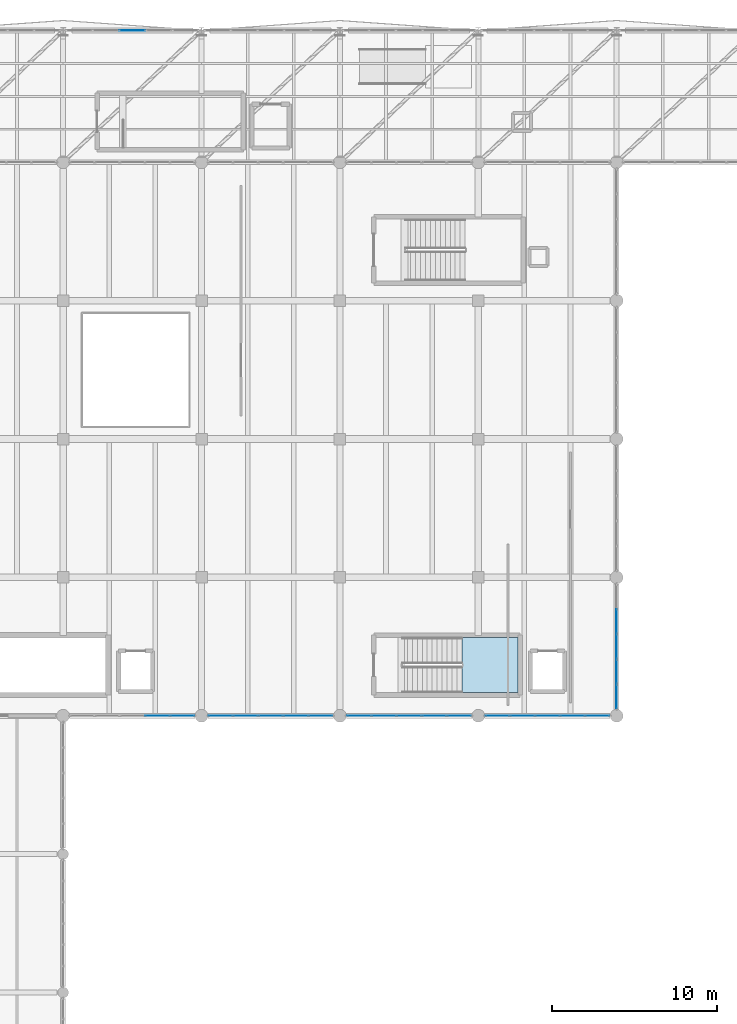
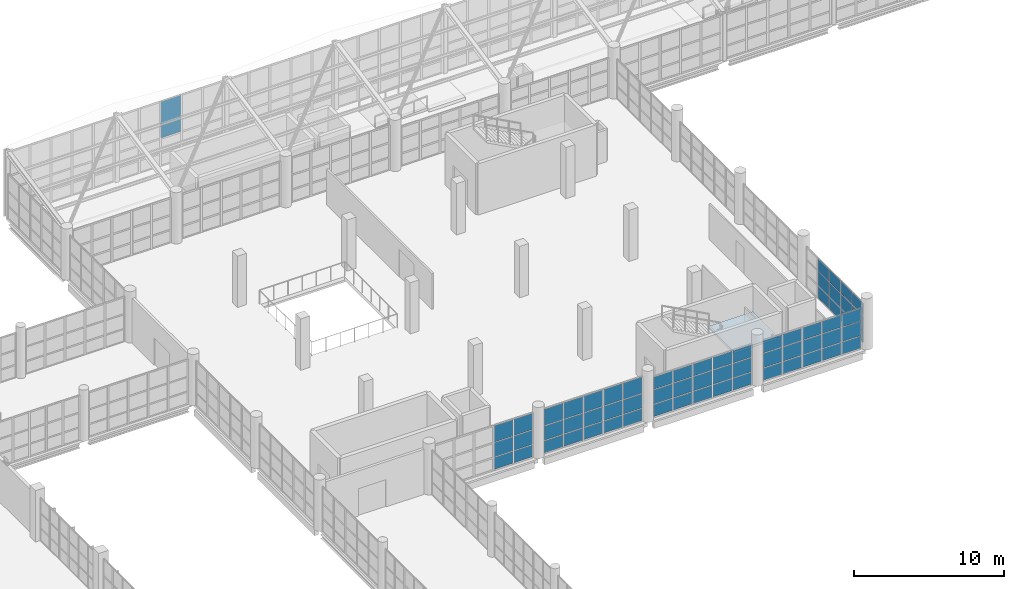
# One storey, part 133 of 177: 65 plates, 1 slab, 7 elements without a shape of their own.
"""IFC4 building model written with IfcOpenShell, lengths in metres."""

import ifcopenshell
import ifcopenshell.guid

model = None  # the IFC model being written
_history = None  # IfcOwnerHistory: only IFC2X3 demands one
_inside = {}  # id of a spatial element -> (the spatial element, [elements in it])
_under = {}  # id of a project, library or spatial element -> (it, [spatial elements below it])
_declared = {}  # id of a project -> (the project, [libraries it declares])
_typed = {}  # id of a type object -> (the type object, [elements of that type])
_made_of = {}  # id of a material, layer set ... -> (it, [elements and type objects made of it])


def new_model(schema):
    """Start an empty IFC model of exactly this schema.

    Asked for "IFC4X3", IfcOpenShell would pick the latest addendum, in which some entities
    have other attributes; the version numbers below select the first issue.
    IFC2X3 requires an IfcOwnerHistory on every rooted entity: one is made here for all.
    """
    global model, _history
    if schema == "IFC4X3":
        model = ifcopenshell.file(schema_version=(4, 3, 0, 0))
    else:
        model = ifcopenshell.file(schema=schema)
    _inside.clear()
    _under.clear()
    _declared.clear()
    _typed.clear()
    _made_of.clear()
    _history = None
    if model.schema == "IFC2X3":
        org = make("IfcOrganization", Name="unknown")
        user = make(
            "IfcPersonAndOrganization",
            ThePerson=make("IfcPerson", FamilyName="unknown"),
            TheOrganization=org,
        )
        app = make(
            "IfcApplication",
            ApplicationDeveloper=org,
            Version="unknown",
            ApplicationFullName="unknown",
            ApplicationIdentifier="unknown",
        )
        _history = make(
            "IfcOwnerHistory",
            OwningUser=user,
            OwningApplication=app,
            ChangeAction="ADDED",
            CreationDate=0,
        )
    return model


def make(cls, **values):
    """One entity of the class cls with the attributes given. An attribute that is None is left unset."""
    return model.create_entity(
        cls, **{name: value for name, value in values.items() if value is not None}
    )


def rooted(cls, **values):
    """An entity with a GlobalId (a new one), such as an element, a storey or a relation."""
    return make(cls, GlobalId=ifcopenshell.guid.new(), OwnerHistory=_history, **values)


def si_unit(unit_type, name, prefix=None):
    """IfcSIUnit, for example si_unit("LENGTHUNIT", "METRE", prefix="MILLI")."""
    return make("IfcSIUnit", UnitType=unit_type, Prefix=prefix, Name=name)


def assignment(units):
    """IfcUnitAssignment: the units of a project."""
    return None if units is None else make("IfcUnitAssignment", Units=units)


def point(xyz):
    """IfcCartesianPoint."""
    return None if xyz is None else make("IfcCartesianPoint", Coordinates=xyz)


def direction(xyz):
    """IfcDirection."""
    return None if xyz is None else make("IfcDirection", DirectionRatios=xyz)


def frame(location, z_axis=None, x_axis=None):
    """IfcAxis2Placement3D, a coordinate frame: its origin and axes. An axis left out is left unset."""
    return make(
        "IfcAxis2Placement3D",
        Location=point(location),
        Axis=direction(z_axis),
        RefDirection=direction(x_axis),
    )


def frame_2d(location, x_axis=None):
    """IfcAxis2Placement2D, a coordinate frame in the plane: its origin and x axis."""
    return make(
        "IfcAxis2Placement2D", Location=point(location), RefDirection=direction(x_axis)
    )


def origin():
    """The frame at (0, 0, 0) with its axes left unset."""
    return frame((0.0, 0.0, 0.0))


def origin_2d():
    """The frame at (0, 0) in the plane with its x axis left unset."""
    return frame_2d((0.0, 0.0))


def place(relative_to, where):
    """IfcLocalPlacement: puts the frame where relative to a parent placement (None: the world)."""
    return make(
        "IfcLocalPlacement", PlacementRelTo=relative_to, RelativePlacement=where
    )


def context(
    kind, dimensions, precision=None, world=None, true_north=None, identifier=None
):
    """IfcGeometricRepresentationContext, for example the 3D "Model" context."""
    return make(
        "IfcGeometricRepresentationContext",
        ContextIdentifier=identifier,
        ContextType=kind,
        CoordinateSpaceDimension=dimensions,
        Precision=precision,
        WorldCoordinateSystem=world,
        TrueNorth=true_north,
    )


def subcontext(parent, identifier, kind, view, scale=None):
    """IfcGeometricRepresentationSubContext, for example "Body" below "Model"."""
    return make(
        "IfcGeometricRepresentationSubContext",
        ContextIdentifier=identifier,
        ContextType=kind,
        ParentContext=parent,
        TargetScale=scale,
        TargetView=view,
    )


def project(units=None, contexts=None):
    """IfcProject with its units and contexts."""
    return rooted(
        "IfcProject",
        Name="project",
        RepresentationContexts=contexts,
        UnitsInContext=assignment(units),
    )


def spatial(cls, under=None, at=None, **own):
    """A site, building, storey or space (cls), placed at a placement, below another one or the project."""
    s = rooted(cls, ObjectPlacement=at, **own)
    if under is not None:
        _under.setdefault(under.id(), (under, []))[1].append(s)
    return s


def polyline(points):
    """IfcPolyline through the points."""
    return make("IfcPolyline", Points=[point(p) for p in points])


def profile(cls, at=None, kind="AREA", **sizes):
    """A parametric profile (cls). Its sizes go by their IFC names, for example OverallWidth=200.0."""
    return make(cls, ProfileType=kind, Position=at, **sizes)


def rectangle(**sizes):
    """IfcRectangleProfileDef."""
    return profile("IfcRectangleProfileDef", **sizes)


def outline(outer, holes=None, kind="AREA"):
    """IfcArbitraryClosedProfileDef: a profile drawn as a closed curve; with holes, ...WithVoids."""
    if holes is None:
        return make("IfcArbitraryClosedProfileDef", ProfileType=kind, OuterCurve=outer)
    return make(
        "IfcArbitraryProfileDefWithVoids",
        ProfileType=kind,
        OuterCurve=outer,
        InnerCurves=holes,
    )


def extrude(swept, where, along, depth):
    """IfcExtrudedAreaSolid: the profile swept, set in the frame where, extruded along a direction by depth."""
    return make(
        "IfcExtrudedAreaSolid",
        SweptArea=swept,
        Position=where,
        ExtrudedDirection=direction(along),
        Depth=depth,
    )


def shape(context_of_items, identifier, shape_type, items):
    """IfcShapeRepresentation: the items that make up one representation, for example the "Body"."""
    return make(
        "IfcShapeRepresentation",
        ContextOfItems=context_of_items,
        RepresentationIdentifier=identifier,
        RepresentationType=shape_type,
        Items=items,
    )


def material(Name=None, Category=None):
    """IfcMaterial."""
    return make("IfcMaterial", Name=Name, Category=Category)


def layer(
    of_material, thickness, ventilated=None, Name=None, Category=None, Priority=None
):
    """IfcMaterialLayer: one layer of a wall or slab, of a material (None: an air gap)."""
    return make(
        "IfcMaterialLayer",
        Material=of_material,
        LayerThickness=thickness,
        IsVentilated=ventilated,
        Name=Name,
        Category=Category,
        Priority=Priority,
    )


def layer_set(layers, Name=None):
    """IfcMaterialLayerSet."""
    return make("IfcMaterialLayerSet", MaterialLayers=layers, LayerSetName=Name)


def made_of(thing, what):
    """Note that an element or type object is made of a material, layer set ...; save() writes the relation."""
    if what is not None:
        _made_of.setdefault(what.id(), (what, []))[1].append(thing)
    return thing


def type_object(cls, material=None, **own):
    """A type object (cls), such as IfcWallType, which elements share."""
    return made_of(rooted(cls, **own), material)


def element(
    cls,
    number,
    at=None,
    inside=None,
    cuts=None,
    type_object=None,
    material=None,
    context=None,
    identifier="Body",
    shape_type=None,
    held_by="IfcProductDefinitionShape",
    body=None,
    shapes=None,
    **own,
):
    """One element of the class cls, such as IfcWall. Its Tag is "e" and its number.

    at: its placement. inside: the storey or other place that contains it. cuts: it is an
    opening in that element (IfcRelVoidsElement). A single representation is given by context,
    identifier, shape_type and body (its items); several are given by shapes. held_by: the class
    of the entity that holds the representations. save() writes the other relations.
    """
    e = rooted(cls, Tag="e%d" % number, ObjectPlacement=at, **own)
    if body is not None:
        shapes = [shape(context, identifier, shape_type, body)]
    if shapes is not None:
        e.Representation = make(held_by, Representations=shapes)
    if inside is not None:
        _inside.setdefault(inside.id(), (inside, []))[1].append(e)
    if cuts is not None:
        rooted(
            "IfcRelVoidsElement", RelatingBuildingElement=cuts, RelatedOpeningElement=e
        )
    if type_object is not None:
        _typed.setdefault(type_object.id(), (type_object, []))[1].append(e)
    return made_of(e, material)


def aggregate(whole, parts):
    """IfcRelAggregates: a whole, such as a stair, and the parts it consists of."""
    return rooted("IfcRelAggregates", RelatingObject=whole, RelatedObjects=parts)


def save(model, path):
    """Write the relations noted so far, then the file.

    IfcRelAggregates (storeys below a building ...), IfcRelContainedInSpatialStructure (elements
    in a storey), IfcRelDefinesByType, IfcRelAssociatesMaterial and IfcRelDeclares: one each for
    every whole, place, type object, material and project.
    """
    for whole, parts in _under.values():
        aggregate(whole, parts)
    for where, things in _inside.values():
        rooted(
            "IfcRelContainedInSpatialStructure",
            RelatedElements=things,
            RelatingStructure=where,
        )
    for kind, things in _typed.values():
        rooted("IfcRelDefinesByType", RelatedObjects=things, RelatingType=kind)
    for what, things in _made_of.values():
        rooted("IfcRelAssociatesMaterial", RelatedObjects=things, RelatingMaterial=what)
    for by, libraries in _declared.values():
        rooted("IfcRelDeclares", RelatingContext=by, RelatedDefinitions=libraries)
    model.write(path)


model = new_model("IFC4")

# Units and contexts
model_context = context("Model", 3, precision=1e-05, world=origin(), true_north=direction((0.0, 1.0)))
body_context = subcontext(model_context, "Body", "Model", "MODEL_VIEW")
ifc_project = project(units=[si_unit("LENGTHUNIT", "METRE"), si_unit("AREAUNIT", "SQUARE_METRE"), si_unit("VOLUMEUNIT", "CUBIC_METRE"), si_unit("PLANEANGLEUNIT", "RADIAN"), si_unit("MASSUNIT", "GRAM", prefix="KILO"), si_unit("THERMODYNAMICTEMPERATUREUNIT", "KELVIN"), si_unit("POWERUNIT", "WATT")], contexts=[model_context])

# Site, building, storey
site_placement = place(None, origin())
site = spatial("IfcSite", under=ifc_project, at=site_placement, CompositionType="ELEMENT")
building_placement = place(site_placement, origin())
building = spatial("IfcBuilding", under=site, at=building_placement, Name="Mavoryth Pier Ferry Terminal", CompositionType="ELEMENT")
storey_placement = place(building_placement, frame((0.0, 0.0, 5.43994140625)))
storey = spatial("IfcBuildingStorey", under=building, at=storey_placement, Name="L01", CompositionType="ELEMENT", Elevation=5.43994140625)

# Curtain wall, plates
ifc_material_1 = material(Name="Anodised Aluminium and Solar-Control Low-E Glass", Category="aluminium")
ifc_layer_1 = layer(ifc_material_1, 0.159912109375, Name="Anodised Aluminium and Solar-Control Low-E Glass", Category="aluminium")
ifc_layer_set_1 = layer_set([ifc_layer_1], Name="Anodised Aluminium and Solar-Control Low-E Glass - CW-Arrivals-Mod1400")
curtain_wall_type_1 = type_object("IfcCurtainWallType", Name="CW-Arrivals-Mod1400", PredefinedType="USERDEFINED", material=ifc_layer_set_1)
curtain_wall_1_placement = place(storey_placement, origin())
curtain_wall_1 = element("IfcCurtainWall", 1, at=curtain_wall_1_placement, inside=storey, type_object=curtain_wall_type_1, Name="Curtain Wall CW-0122-053", ObjectType="UNITISED CURTAIN WALL", PredefinedType="USERDEFINED")
ifc_material_2 = material(Name="Solar-Control Low-E Laminated Double Glazing", Category="glass")
ifc_layer_2 = layer(ifc_material_2, 0.02392578125, Name="Solar-Control Low-E Laminated Double Glazing", Category="glass")
ifc_layer_set_2 = layer_set([ifc_layer_2], Name="Solar-Control Low-E Laminated Double Glazing - Panel-LowE-DGU-24")
plate_type = type_object("IfcPlateType", Name="Panel-LowE-DGU-24", PredefinedType="CURTAIN_PANEL", material=ifc_layer_set_2)
plate_1_placement = place(storey_placement, frame((64.52392578125, 72.39990234375, 0.06005859375), z_axis=(0.0, 0.0, 1.0), x_axis=(1.0, 0.0, 0.0)))
plate_1 = element("IfcPlate", 2, at=plate_1_placement, type_object=plate_type, Name="CW04 panel 4.1", PredefinedType="CURTAIN_PANEL", context=body_context, shape_type="SweptSolid", body=[
    extrude(rectangle(XDim=1.464111328125, YDim=0.02392578125, at=origin_2d()), origin(), (0.0, 0.0, 1.0), 0.9599609375),
])
plate_2_placement = place(storey_placement, frame((64.52392578125, 72.39990234375, 1.080078125), z_axis=(0.0, 0.0, 1.0), x_axis=(1.0, 0.0, 0.0)))
plate_2 = element("IfcPlate", 3, at=plate_2_placement, type_object=plate_type, Name="CW04 panel 4.2", PredefinedType="CURTAIN_PANEL", context=body_context, shape_type="SweptSolid", body=[
    extrude(rectangle(XDim=1.464111328125, YDim=0.02392578125, at=origin_2d()), origin(), (0.0, 0.0, 1.0), 1.139892578125),
])
plate_3_placement = place(storey_placement, frame((64.52392578125, 72.39990234375, 2.27978515625), z_axis=(0.0, 0.0, 1.0), x_axis=(1.0, 0.0, 0.0)))
plate_3 = element("IfcPlate", 4, at=plate_3_placement, type_object=plate_type, Name="CW04 panel 4.3", PredefinedType="CURTAIN_PANEL", context=body_context, shape_type="SweptSolid", body=[
    extrude(rectangle(XDim=1.464111328125, YDim=0.02392578125, at=origin_2d()), origin(), (0.0, 0.0, 1.0), 1.320068359375),
])
plate_4_placement = place(storey_placement, frame((66.032958984375, 72.39990234375, 0.06005859375), z_axis=(0.0, 0.0, 1.0), x_axis=(1.0, 0.0, 0.0)))
plate_4 = element("IfcPlate", 5, at=plate_4_placement, type_object=plate_type, Name="CW04 panel 5.1", PredefinedType="CURTAIN_PANEL", context=body_context, shape_type="SweptSolid", body=[
    extrude(rectangle(XDim=1.43408203125, YDim=0.02392578125, at=origin_2d()), origin(), (0.0, 0.0, 1.0), 0.9599609375),
])
plate_5_placement = place(storey_placement, frame((66.032958984375, 72.39990234375, 1.080078125), z_axis=(0.0, 0.0, 1.0), x_axis=(1.0, 0.0, 0.0)))
plate_5 = element("IfcPlate", 6, at=plate_5_placement, type_object=plate_type, Name="CW04 panel 5.2", PredefinedType="CURTAIN_PANEL", context=body_context, shape_type="SweptSolid", body=[
    extrude(rectangle(XDim=1.43408203125, YDim=0.02392578125, at=origin_2d()), origin(), (0.0, 0.0, 1.0), 1.139892578125),
])
plate_6_placement = place(storey_placement, frame((66.032958984375, 72.39990234375, 2.27978515625), z_axis=(0.0, 0.0, 1.0), x_axis=(1.0, 0.0, 0.0)))
plate_6 = element("IfcPlate", 7, at=plate_6_placement, type_object=plate_type, Name="CW04 panel 5.3", PredefinedType="CURTAIN_PANEL", context=body_context, shape_type="SweptSolid", body=[
    extrude(rectangle(XDim=1.43408203125, YDim=0.02392578125, at=origin_2d()), origin(), (0.0, 0.0, 1.0), 1.320068359375),
])
aggregate(curtain_wall_1, [plate_1, plate_2, plate_3, plate_4, plate_5, plate_6])

curtain_wall_2_placement = place(storey_placement, origin())
curtain_wall_2 = element("IfcCurtainWall", 8, at=curtain_wall_2_placement, inside=storey, type_object=curtain_wall_type_1, Name="Curtain Wall CW-0122-056", ObjectType="UNITISED CURTAIN WALL", PredefinedType="USERDEFINED")
plate_7_placement = place(storey_placement, frame((68.366943359375, 72.39990234375, 0.06005859375), z_axis=(0.0, 0.0, 1.0), x_axis=(1.0, 0.0, 0.0)))
plate_7 = element("IfcPlate", 9, at=plate_7_placement, type_object=plate_type, Name="CW04 panel 1.1", PredefinedType="CURTAIN_PANEL", context=body_context, shape_type="SweptSolid", body=[
    extrude(rectangle(XDim=1.43408203125, YDim=0.02392578125, at=origin_2d()), origin(), (0.0, 0.0, 1.0), 0.9599609375),
])
plate_8_placement = place(storey_placement, frame((68.366943359375, 72.39990234375, 1.080078125), z_axis=(0.0, 0.0, 1.0), x_axis=(1.0, 0.0, 0.0)))
plate_8 = element("IfcPlate", 10, at=plate_8_placement, type_object=plate_type, Name="CW04 panel 1.2", PredefinedType="CURTAIN_PANEL", context=body_context, shape_type="SweptSolid", body=[
    extrude(rectangle(XDim=1.43408203125, YDim=0.02392578125, at=origin_2d()), origin(), (0.0, 0.0, 1.0), 1.139892578125),
])
plate_9_placement = place(storey_placement, frame((68.366943359375, 72.39990234375, 2.27978515625), z_axis=(0.0, 0.0, 1.0), x_axis=(1.0, 0.0, 0.0)))
plate_9 = element("IfcPlate", 11, at=plate_9_placement, type_object=plate_type, Name="CW04 panel 1.3", PredefinedType="CURTAIN_PANEL", context=body_context, shape_type="SweptSolid", body=[
    extrude(rectangle(XDim=1.43408203125, YDim=0.02392578125, at=origin_2d()), origin(), (0.0, 0.0, 1.0), 1.320068359375),
])
plate_10_placement = place(storey_placement, frame((69.8759765625, 72.39990234375, 0.06005859375), z_axis=(0.0, 0.0, 1.0), x_axis=(1.0, 0.0, 0.0)))
plate_10 = element("IfcPlate", 12, at=plate_10_placement, type_object=plate_type, Name="CW04 panel 2.1", PredefinedType="CURTAIN_PANEL", context=body_context, shape_type="SweptSolid", body=[
    extrude(rectangle(XDim=1.464111328125, YDim=0.02392578125, at=origin_2d()), origin(), (0.0, 0.0, 1.0), 0.9599609375),
])
plate_11_placement = place(storey_placement, frame((69.8759765625, 72.39990234375, 1.080078125), z_axis=(0.0, 0.0, 1.0), x_axis=(1.0, 0.0, 0.0)))
plate_11 = element("IfcPlate", 13, at=plate_11_placement, type_object=plate_type, Name="CW04 panel 2.2", PredefinedType="CURTAIN_PANEL", context=body_context, shape_type="SweptSolid", body=[
    extrude(rectangle(XDim=1.464111328125, YDim=0.02392578125, at=origin_2d()), origin(), (0.0, 0.0, 1.0), 1.139892578125),
])
plate_12_placement = place(storey_placement, frame((69.8759765625, 72.39990234375, 2.27978515625), z_axis=(0.0, 0.0, 1.0), x_axis=(1.0, 0.0, 0.0)))
plate_12 = element("IfcPlate", 14, at=plate_12_placement, type_object=plate_type, Name="CW04 panel 2.3", PredefinedType="CURTAIN_PANEL", context=body_context, shape_type="SweptSolid", body=[
    extrude(rectangle(XDim=1.464111328125, YDim=0.02392578125, at=origin_2d()), origin(), (0.0, 0.0, 1.0), 1.320068359375),
])
plate_13_placement = place(storey_placement, frame((71.39990234375, 72.39990234375, 0.06005859375), z_axis=(0.0, 0.0, 1.0), x_axis=(1.0, 0.0, 0.0)))
plate_13 = element("IfcPlate", 15, at=plate_13_placement, type_object=plate_type, Name="CW04 panel 3.1", PredefinedType="CURTAIN_PANEL", context=body_context, shape_type="SweptSolid", body=[
    extrude(rectangle(XDim=1.464111328125, YDim=0.02392578125, at=origin_2d()), origin(), (0.0, 0.0, 1.0), 0.9599609375),
])
plate_14_placement = place(storey_placement, frame((71.39990234375, 72.39990234375, 1.080078125), z_axis=(0.0, 0.0, 1.0), x_axis=(1.0, 0.0, 0.0)))
plate_14 = element("IfcPlate", 16, at=plate_14_placement, type_object=plate_type, Name="CW04 panel 3.2", PredefinedType="CURTAIN_PANEL", context=body_context, shape_type="SweptSolid", body=[
    extrude(rectangle(XDim=1.464111328125, YDim=0.02392578125, at=origin_2d()), origin(), (0.0, 0.0, 1.0), 1.139892578125),
])
plate_15_placement = place(storey_placement, frame((71.39990234375, 72.39990234375, 2.27978515625), z_axis=(0.0, 0.0, 1.0), x_axis=(1.0, 0.0, 0.0)))
plate_15 = element("IfcPlate", 17, at=plate_15_placement, type_object=plate_type, Name="CW04 panel 3.3", PredefinedType="CURTAIN_PANEL", context=body_context, shape_type="SweptSolid", body=[
    extrude(rectangle(XDim=1.464111328125, YDim=0.02392578125, at=origin_2d()), origin(), (0.0, 0.0, 1.0), 1.320068359375),
])
plate_16_placement = place(storey_placement, frame((72.924072265625, 72.39990234375, 0.06005859375), z_axis=(0.0, 0.0, 1.0), x_axis=(1.0, 0.0, 0.0)))
plate_16 = element("IfcPlate", 18, at=plate_16_placement, type_object=plate_type, Name="CW04 panel 4.1", PredefinedType="CURTAIN_PANEL", context=body_context, shape_type="SweptSolid", body=[
    extrude(rectangle(XDim=1.464111328125, YDim=0.02392578125, at=origin_2d()), origin(), (0.0, 0.0, 1.0), 0.9599609375),
])
plate_17_placement = place(storey_placement, frame((72.924072265625, 72.39990234375, 1.080078125), z_axis=(0.0, 0.0, 1.0), x_axis=(1.0, 0.0, 0.0)))
plate_17 = element("IfcPlate", 19, at=plate_17_placement, type_object=plate_type, Name="CW04 panel 4.2", PredefinedType="CURTAIN_PANEL", context=body_context, shape_type="SweptSolid", body=[
    extrude(rectangle(XDim=1.464111328125, YDim=0.02392578125, at=origin_2d()), origin(), (0.0, 0.0, 1.0), 1.139892578125),
])
plate_18_placement = place(storey_placement, frame((72.924072265625, 72.39990234375, 2.27978515625), z_axis=(0.0, 0.0, 1.0), x_axis=(1.0, 0.0, 0.0)))
plate_18 = element("IfcPlate", 20, at=plate_18_placement, type_object=plate_type, Name="CW04 panel 4.3", PredefinedType="CURTAIN_PANEL", context=body_context, shape_type="SweptSolid", body=[
    extrude(rectangle(XDim=1.464111328125, YDim=0.02392578125, at=origin_2d()), origin(), (0.0, 0.0, 1.0), 1.320068359375),
])
plate_19_placement = place(storey_placement, frame((74.43310546875, 72.39990234375, 0.06005859375), z_axis=(0.0, 0.0, 1.0), x_axis=(1.0, 0.0, 0.0)))
plate_19 = element("IfcPlate", 21, at=plate_19_placement, type_object=plate_type, Name="CW04 panel 5.1", PredefinedType="CURTAIN_PANEL", context=body_context, shape_type="SweptSolid", body=[
    extrude(rectangle(XDim=1.43408203125, YDim=0.02392578125, at=origin_2d()), origin(), (0.0, 0.0, 1.0), 0.9599609375),
])
plate_20_placement = place(storey_placement, frame((74.43310546875, 72.39990234375, 1.080078125), z_axis=(0.0, 0.0, 1.0), x_axis=(1.0, 0.0, 0.0)))
plate_20 = element("IfcPlate", 22, at=plate_20_placement, type_object=plate_type, Name="CW04 panel 5.2", PredefinedType="CURTAIN_PANEL", context=body_context, shape_type="SweptSolid", body=[
    extrude(rectangle(XDim=1.43408203125, YDim=0.02392578125, at=origin_2d()), origin(), (0.0, 0.0, 1.0), 1.139892578125),
])
plate_21_placement = place(storey_placement, frame((74.43310546875, 72.39990234375, 2.27978515625), z_axis=(0.0, 0.0, 1.0), x_axis=(1.0, 0.0, 0.0)))
plate_21 = element("IfcPlate", 23, at=plate_21_placement, type_object=plate_type, Name="CW04 panel 5.3", PredefinedType="CURTAIN_PANEL", context=body_context, shape_type="SweptSolid", body=[
    extrude(rectangle(XDim=1.43408203125, YDim=0.02392578125, at=origin_2d()), origin(), (0.0, 0.0, 1.0), 1.320068359375),
])
aggregate(curtain_wall_2, [plate_7, plate_8, plate_9, plate_10, plate_11, plate_12, plate_13, plate_14, plate_15, plate_16, plate_17, plate_18, plate_19, plate_20, plate_21])

curtain_wall_3_placement = place(storey_placement, origin())
curtain_wall_3 = element("IfcCurtainWall", 24, at=curtain_wall_3_placement, inside=storey, type_object=curtain_wall_type_1, Name="Curtain Wall CW-0122-059", ObjectType="UNITISED CURTAIN WALL", PredefinedType="USERDEFINED")
plate_22_placement = place(storey_placement, frame((76.76708984375, 72.39990234375, 0.06005859375), z_axis=(0.0, 0.0, 1.0), x_axis=(1.0, 0.0, 0.0)))
plate_22 = element("IfcPlate", 25, at=plate_22_placement, type_object=plate_type, Name="CW04 panel 1.1", PredefinedType="CURTAIN_PANEL", context=body_context, shape_type="SweptSolid", body=[
    extrude(rectangle(XDim=1.43408203125, YDim=0.02392578125, at=origin_2d()), origin(), (0.0, 0.0, 1.0), 0.9599609375),
])
plate_23_placement = place(storey_placement, frame((76.76708984375, 72.39990234375, 1.080078125), z_axis=(0.0, 0.0, 1.0), x_axis=(1.0, 0.0, 0.0)))
plate_23 = element("IfcPlate", 26, at=plate_23_placement, type_object=plate_type, Name="CW04 panel 1.2", PredefinedType="CURTAIN_PANEL", context=body_context, shape_type="SweptSolid", body=[
    extrude(rectangle(XDim=1.43408203125, YDim=0.02392578125, at=origin_2d()), origin(), (0.0, 0.0, 1.0), 1.139892578125),
])
plate_24_placement = place(storey_placement, frame((76.76708984375, 72.39990234375, 2.27978515625), z_axis=(0.0, 0.0, 1.0), x_axis=(1.0, 0.0, 0.0)))
plate_24 = element("IfcPlate", 27, at=plate_24_placement, type_object=plate_type, Name="CW04 panel 1.3", PredefinedType="CURTAIN_PANEL", context=body_context, shape_type="SweptSolid", body=[
    extrude(rectangle(XDim=1.43408203125, YDim=0.02392578125, at=origin_2d()), origin(), (0.0, 0.0, 1.0), 0.985107421875),
])
plate_25_placement = place(storey_placement, frame((78.27587890625, 72.39990234375, 0.06005859375), z_axis=(0.0, 0.0, 1.0), x_axis=(1.0, 0.0, 0.0)))
plate_25 = element("IfcPlate", 28, at=plate_25_placement, type_object=plate_type, Name="CW04 panel 2.1", PredefinedType="CURTAIN_PANEL", context=body_context, shape_type="SweptSolid", body=[
    extrude(rectangle(XDim=1.464111328125, YDim=0.02392578125, at=origin_2d()), origin(), (0.0, 0.0, 1.0), 0.9599609375),
])
plate_26_placement = place(storey_placement, frame((78.27587890625, 72.39990234375, 1.080078125), z_axis=(0.0, 0.0, 1.0), x_axis=(1.0, 0.0, 0.0)))
plate_26 = element("IfcPlate", 29, at=plate_26_placement, type_object=plate_type, Name="CW04 panel 2.2", PredefinedType="CURTAIN_PANEL", context=body_context, shape_type="SweptSolid", body=[
    extrude(rectangle(XDim=1.464111328125, YDim=0.02392578125, at=origin_2d()), origin(), (0.0, 0.0, 1.0), 1.139892578125),
])
plate_27_placement = place(storey_placement, frame((78.27587890625, 72.39990234375, 2.27978515625), z_axis=(0.0, 0.0, 1.0), x_axis=(1.0, 0.0, 0.0)))
plate_27 = element("IfcPlate", 30, at=plate_27_placement, type_object=plate_type, Name="CW04 panel 2.3", PredefinedType="CURTAIN_PANEL", context=body_context, shape_type="SweptSolid", body=[
    extrude(rectangle(XDim=1.464111328125, YDim=0.02392578125, at=origin_2d()), origin(), (0.0, 0.0, 1.0), 0.985107421875),
])
plate_28_placement = place(storey_placement, frame((79.800048828125, 72.39990234375, 0.06005859375), z_axis=(0.0, 0.0, 1.0), x_axis=(1.0, 0.0, 0.0)))
plate_28 = element("IfcPlate", 31, at=plate_28_placement, type_object=plate_type, Name="CW04 panel 3.1", PredefinedType="CURTAIN_PANEL", context=body_context, shape_type="SweptSolid", body=[
    extrude(rectangle(XDim=1.464111328125, YDim=0.02392578125, at=origin_2d()), origin(), (0.0, 0.0, 1.0), 0.9599609375),
])
plate_29_placement = place(storey_placement, frame((79.800048828125, 72.39990234375, 1.080078125), z_axis=(0.0, 0.0, 1.0), x_axis=(1.0, 0.0, 0.0)))
plate_29 = element("IfcPlate", 32, at=plate_29_placement, type_object=plate_type, Name="CW04 panel 3.2", PredefinedType="CURTAIN_PANEL", context=body_context, shape_type="SweptSolid", body=[
    extrude(rectangle(XDim=1.464111328125, YDim=0.02392578125, at=origin_2d()), origin(), (0.0, 0.0, 1.0), 1.139892578125),
])
plate_30_placement = place(storey_placement, frame((79.800048828125, 72.39990234375, 2.27978515625), z_axis=(0.0, 0.0, 1.0), x_axis=(1.0, 0.0, 0.0)))
plate_30 = element("IfcPlate", 33, at=plate_30_placement, type_object=plate_type, Name="CW04 panel 3.3", PredefinedType="CURTAIN_PANEL", context=body_context, shape_type="SweptSolid", body=[
    extrude(rectangle(XDim=1.464111328125, YDim=0.02392578125, at=origin_2d()), origin(), (0.0, 0.0, 1.0), 0.985107421875),
])
plate_31_placement = place(storey_placement, frame((81.323974609375, 72.39990234375, 0.06005859375), z_axis=(0.0, 0.0, 1.0), x_axis=(1.0, 0.0, 0.0)))
plate_31 = element("IfcPlate", 34, at=plate_31_placement, type_object=plate_type, Name="CW04 panel 4.1", PredefinedType="CURTAIN_PANEL", context=body_context, shape_type="SweptSolid", body=[
    extrude(rectangle(XDim=1.464111328125, YDim=0.02392578125, at=origin_2d()), origin(), (0.0, 0.0, 1.0), 0.9599609375),
])
plate_32_placement = place(storey_placement, frame((81.323974609375, 72.39990234375, 1.080078125), z_axis=(0.0, 0.0, 1.0), x_axis=(1.0, 0.0, 0.0)))
plate_32 = element("IfcPlate", 35, at=plate_32_placement, type_object=plate_type, Name="CW04 panel 4.2", PredefinedType="CURTAIN_PANEL", context=body_context, shape_type="SweptSolid", body=[
    extrude(rectangle(XDim=1.464111328125, YDim=0.02392578125, at=origin_2d()), origin(), (0.0, 0.0, 1.0), 1.139892578125),
])
plate_33_placement = place(storey_placement, frame((81.323974609375, 72.39990234375, 2.27978515625), z_axis=(0.0, 0.0, 1.0), x_axis=(1.0, 0.0, 0.0)))
plate_33 = element("IfcPlate", 36, at=plate_33_placement, type_object=plate_type, Name="CW04 panel 4.3", PredefinedType="CURTAIN_PANEL", context=body_context, shape_type="SweptSolid", body=[
    extrude(rectangle(XDim=1.464111328125, YDim=0.02392578125, at=origin_2d()), origin(), (0.0, 0.0, 1.0), 0.985107421875),
])
plate_34_placement = place(storey_placement, frame((82.8330078125, 72.39990234375, 0.06005859375), z_axis=(0.0, 0.0, 1.0), x_axis=(1.0, 0.0, 0.0)))
plate_34 = element("IfcPlate", 37, at=plate_34_placement, type_object=plate_type, Name="CW04 panel 5.1", PredefinedType="CURTAIN_PANEL", context=body_context, shape_type="SweptSolid", body=[
    extrude(rectangle(XDim=1.43408203125, YDim=0.02392578125, at=origin_2d()), origin(), (0.0, 0.0, 1.0), 0.9599609375),
])
plate_35_placement = place(storey_placement, frame((82.8330078125, 72.39990234375, 1.080078125), z_axis=(0.0, 0.0, 1.0), x_axis=(1.0, 0.0, 0.0)))
plate_35 = element("IfcPlate", 38, at=plate_35_placement, type_object=plate_type, Name="CW04 panel 5.2", PredefinedType="CURTAIN_PANEL", context=body_context, shape_type="SweptSolid", body=[
    extrude(rectangle(XDim=1.43408203125, YDim=0.02392578125, at=origin_2d()), origin(), (0.0, 0.0, 1.0), 1.139892578125),
])
plate_36_placement = place(storey_placement, frame((82.8330078125, 72.39990234375, 2.27978515625), z_axis=(0.0, 0.0, 1.0), x_axis=(1.0, 0.0, 0.0)))
plate_36 = element("IfcPlate", 39, at=plate_36_placement, type_object=plate_type, Name="CW04 panel 5.3", PredefinedType="CURTAIN_PANEL", context=body_context, shape_type="SweptSolid", body=[
    extrude(rectangle(XDim=1.43408203125, YDim=0.02392578125, at=origin_2d()), origin(), (0.0, 0.0, 1.0), 0.985107421875),
])
aggregate(curtain_wall_3, [plate_22, plate_23, plate_24, plate_25, plate_26, plate_27, plate_28, plate_29, plate_30, plate_31, plate_32, plate_33, plate_34, plate_35, plate_36])

curtain_wall_4_placement = place(storey_placement, origin())
curtain_wall_4 = element("IfcCurtainWall", 40, at=curtain_wall_4_placement, inside=storey, type_object=curtain_wall_type_1, Name="Curtain Wall CW-0122-062", ObjectType="UNITISED CURTAIN WALL", PredefinedType="USERDEFINED")
plate_37_placement = place(storey_placement, frame((85.1669921875, 72.39990234375, 0.06005859375), z_axis=(0.0, 0.0, 1.0), x_axis=(1.0, 0.0, 0.0)))
plate_37 = element("IfcPlate", 41, at=plate_37_placement, type_object=plate_type, Name="CW04 panel 1.1", PredefinedType="CURTAIN_PANEL", context=body_context, shape_type="SweptSolid", body=[
    extrude(rectangle(XDim=1.43408203125, YDim=0.02392578125, at=origin_2d()), origin(), (0.0, 0.0, 1.0), 0.9599609375),
])
plate_38_placement = place(storey_placement, frame((85.1669921875, 72.39990234375, 1.080078125), z_axis=(0.0, 0.0, 1.0), x_axis=(1.0, 0.0, 0.0)))
plate_38 = element("IfcPlate", 42, at=plate_38_placement, type_object=plate_type, Name="CW04 panel 1.2", PredefinedType="CURTAIN_PANEL", context=body_context, shape_type="SweptSolid", body=[
    extrude(rectangle(XDim=1.43408203125, YDim=0.02392578125, at=origin_2d()), origin(), (0.0, 0.0, 1.0), 1.139892578125),
])
plate_39_placement = place(storey_placement, frame((85.1669921875, 72.39990234375, 2.27978515625), z_axis=(0.0, 0.0, 1.0), x_axis=(1.0, 0.0, 0.0)))
plate_39 = element("IfcPlate", 43, at=plate_39_placement, type_object=plate_type, Name="CW04 panel 1.3", PredefinedType="CURTAIN_PANEL", context=body_context, shape_type="SweptSolid", body=[
    extrude(rectangle(XDim=1.43408203125, YDim=0.02392578125, at=origin_2d()), origin(), (0.0, 0.0, 1.0), 0.985107421875),
])
plate_40_placement = place(storey_placement, frame((86.676025390625, 72.39990234375, 0.06005859375), z_axis=(0.0, 0.0, 1.0), x_axis=(1.0, 0.0, 0.0)))
plate_40 = element("IfcPlate", 44, at=plate_40_placement, type_object=plate_type, Name="CW04 panel 2.1", PredefinedType="CURTAIN_PANEL", context=body_context, shape_type="SweptSolid", body=[
    extrude(rectangle(XDim=1.464111328125, YDim=0.02392578125, at=origin_2d()), origin(), (0.0, 0.0, 1.0), 0.9599609375),
])
plate_41_placement = place(storey_placement, frame((86.676025390625, 72.39990234375, 1.080078125), z_axis=(0.0, 0.0, 1.0), x_axis=(1.0, 0.0, 0.0)))
plate_41 = element("IfcPlate", 45, at=plate_41_placement, type_object=plate_type, Name="CW04 panel 2.2", PredefinedType="CURTAIN_PANEL", context=body_context, shape_type="SweptSolid", body=[
    extrude(rectangle(XDim=1.464111328125, YDim=0.02392578125, at=origin_2d()), origin(), (0.0, 0.0, 1.0), 1.139892578125),
])
plate_42_placement = place(storey_placement, frame((86.676025390625, 72.39990234375, 2.27978515625), z_axis=(0.0, 0.0, 1.0), x_axis=(1.0, 0.0, 0.0)))
plate_42 = element("IfcPlate", 46, at=plate_42_placement, type_object=plate_type, Name="CW04 panel 2.3", PredefinedType="CURTAIN_PANEL", context=body_context, shape_type="SweptSolid", body=[
    extrude(rectangle(XDim=1.464111328125, YDim=0.02392578125, at=origin_2d()), origin(), (0.0, 0.0, 1.0), 0.985107421875),
])
plate_43_placement = place(storey_placement, frame((88.199951171875, 72.39990234375, 0.06005859375), z_axis=(0.0, 0.0, 1.0), x_axis=(1.0, 0.0, 0.0)))
plate_43 = element("IfcPlate", 47, at=plate_43_placement, type_object=plate_type, Name="CW04 panel 3.1", PredefinedType="CURTAIN_PANEL", context=body_context, shape_type="SweptSolid", body=[
    extrude(rectangle(XDim=1.464111328125, YDim=0.02392578125, at=origin_2d()), origin(), (0.0, 0.0, 1.0), 0.9599609375),
])
plate_44_placement = place(storey_placement, frame((88.199951171875, 72.39990234375, 1.080078125), z_axis=(0.0, 0.0, 1.0), x_axis=(1.0, 0.0, 0.0)))
plate_44 = element("IfcPlate", 48, at=plate_44_placement, type_object=plate_type, Name="CW04 panel 3.2", PredefinedType="CURTAIN_PANEL", context=body_context, shape_type="SweptSolid", body=[
    extrude(rectangle(XDim=1.464111328125, YDim=0.02392578125, at=origin_2d()), origin(), (0.0, 0.0, 1.0), 1.139892578125),
])
plate_45_placement = place(storey_placement, frame((88.199951171875, 72.39990234375, 2.27978515625), z_axis=(0.0, 0.0, 1.0), x_axis=(1.0, 0.0, 0.0)))
plate_45 = element("IfcPlate", 49, at=plate_45_placement, type_object=plate_type, Name="CW04 panel 3.3", PredefinedType="CURTAIN_PANEL", context=body_context, shape_type="SweptSolid", body=[
    extrude(rectangle(XDim=1.464111328125, YDim=0.02392578125, at=origin_2d()), origin(), (0.0, 0.0, 1.0), 0.985107421875),
])
plate_46_placement = place(storey_placement, frame((89.72412109375, 72.39990234375, 0.06005859375), z_axis=(0.0, 0.0, 1.0), x_axis=(1.0, 0.0, 0.0)))
plate_46 = element("IfcPlate", 50, at=plate_46_placement, type_object=plate_type, Name="CW04 panel 4.1", PredefinedType="CURTAIN_PANEL", context=body_context, shape_type="SweptSolid", body=[
    extrude(rectangle(XDim=1.464111328125, YDim=0.02392578125, at=origin_2d()), origin(), (0.0, 0.0, 1.0), 0.9599609375),
])
plate_47_placement = place(storey_placement, frame((89.72412109375, 72.39990234375, 1.080078125), z_axis=(0.0, 0.0, 1.0), x_axis=(1.0, 0.0, 0.0)))
plate_47 = element("IfcPlate", 51, at=plate_47_placement, type_object=plate_type, Name="CW04 panel 4.2", PredefinedType="CURTAIN_PANEL", context=body_context, shape_type="SweptSolid", body=[
    extrude(rectangle(XDim=1.464111328125, YDim=0.02392578125, at=origin_2d()), origin(), (0.0, 0.0, 1.0), 1.139892578125),
])
plate_48_placement = place(storey_placement, frame((89.72412109375, 72.39990234375, 2.27978515625), z_axis=(0.0, 0.0, 1.0), x_axis=(1.0, 0.0, 0.0)))
plate_48 = element("IfcPlate", 52, at=plate_48_placement, type_object=plate_type, Name="CW04 panel 4.3", PredefinedType="CURTAIN_PANEL", context=body_context, shape_type="SweptSolid", body=[
    extrude(rectangle(XDim=1.464111328125, YDim=0.02392578125, at=origin_2d()), origin(), (0.0, 0.0, 1.0), 0.985107421875),
])
plate_49_placement = place(storey_placement, frame((91.23291015625, 72.39990234375, 0.06005859375), z_axis=(0.0, 0.0, 1.0), x_axis=(1.0, 0.0, 0.0)))
plate_49 = element("IfcPlate", 53, at=plate_49_placement, type_object=plate_type, Name="CW04 panel 5.1", PredefinedType="CURTAIN_PANEL", context=body_context, shape_type="SweptSolid", body=[
    extrude(rectangle(XDim=1.43408203125, YDim=0.02392578125, at=origin_2d()), origin(), (0.0, 0.0, 1.0), 0.9599609375),
])
plate_50_placement = place(storey_placement, frame((91.23291015625, 72.39990234375, 1.080078125), z_axis=(0.0, 0.0, 1.0), x_axis=(1.0, 0.0, 0.0)))
plate_50 = element("IfcPlate", 54, at=plate_50_placement, type_object=plate_type, Name="CW04 panel 5.2", PredefinedType="CURTAIN_PANEL", context=body_context, shape_type="SweptSolid", body=[
    extrude(rectangle(XDim=1.43408203125, YDim=0.02392578125, at=origin_2d()), origin(), (0.0, 0.0, 1.0), 1.139892578125),
])
plate_51_placement = place(storey_placement, frame((91.23291015625, 72.39990234375, 2.27978515625), z_axis=(0.0, 0.0, 1.0), x_axis=(1.0, 0.0, 0.0)))
plate_51 = element("IfcPlate", 55, at=plate_51_placement, type_object=plate_type, Name="CW04 panel 5.3", PredefinedType="CURTAIN_PANEL", context=body_context, shape_type="SweptSolid", body=[
    extrude(rectangle(XDim=1.43408203125, YDim=0.02392578125, at=origin_2d()), origin(), (0.0, 0.0, 1.0), 0.985107421875),
])
aggregate(curtain_wall_4, [plate_37, plate_38, plate_39, plate_40, plate_41, plate_42, plate_43, plate_44, plate_45, plate_46, plate_47, plate_48, plate_49, plate_50, plate_51])

curtain_wall_5_placement = place(storey_placement, origin())
curtain_wall_5 = element("IfcCurtainWall", 56, at=curtain_wall_5_placement, inside=storey, type_object=curtain_wall_type_1, Name="Curtain Wall CW-0122-065", ObjectType="UNITISED CURTAIN WALL", PredefinedType="USERDEFINED")
plate_52_placement = place(storey_placement, frame((92.39990234375, 73.56689453125, 0.06005859375), z_axis=(0.0, 0.0, 1.0), x_axis=(0.0, 1.0, 0.0)))
plate_52 = element("IfcPlate", 57, at=plate_52_placement, type_object=plate_type, Name="CW04 panel 1.1", PredefinedType="CURTAIN_PANEL", context=body_context, shape_type="SweptSolid", body=[
    extrude(rectangle(XDim=1.43408203125, YDim=0.02392578125, at=origin_2d()), origin(), (0.0, 0.0, 1.0), 0.9599609375),
])
plate_53_placement = place(storey_placement, frame((92.39990234375, 73.56689453125, 1.080078125), z_axis=(0.0, 0.0, 1.0), x_axis=(0.0, 1.0, 0.0)))
plate_53 = element("IfcPlate", 58, at=plate_53_placement, type_object=plate_type, Name="CW04 panel 1.2", PredefinedType="CURTAIN_PANEL", context=body_context, shape_type="SweptSolid", body=[
    extrude(rectangle(XDim=1.43408203125, YDim=0.02392578125, at=origin_2d()), origin(), (0.0, 0.0, 1.0), 1.139892578125),
])
plate_54_placement = place(storey_placement, frame((92.39990234375, 73.56689453125, 2.27978515625), z_axis=(0.0, 0.0, 1.0), x_axis=(0.0, 1.0, 0.0)))
plate_54 = element("IfcPlate", 59, at=plate_54_placement, type_object=plate_type, Name="CW04 panel 1.3", PredefinedType="CURTAIN_PANEL", context=body_context, shape_type="SweptSolid", body=[
    extrude(rectangle(XDim=1.43408203125, YDim=0.02392578125, at=origin_2d()), origin(), (0.0, 0.0, 1.0), 0.985107421875),
])
plate_55_placement = place(storey_placement, frame((92.39990234375, 75.075927734375, 0.06005859375), z_axis=(0.0, 0.0, 1.0), x_axis=(0.0, 1.0, 0.0)))
plate_55 = element("IfcPlate", 60, at=plate_55_placement, type_object=plate_type, Name="CW04 panel 2.1", PredefinedType="CURTAIN_PANEL", context=body_context, shape_type="SweptSolid", body=[
    extrude(rectangle(XDim=1.464111328125, YDim=0.02392578125, at=origin_2d()), origin(), (0.0, 0.0, 1.0), 0.9599609375),
])
plate_56_placement = place(storey_placement, frame((92.39990234375, 75.075927734375, 1.080078125), z_axis=(0.0, 0.0, 1.0), x_axis=(0.0, 1.0, 0.0)))
plate_56 = element("IfcPlate", 61, at=plate_56_placement, type_object=plate_type, Name="CW04 panel 2.2", PredefinedType="CURTAIN_PANEL", context=body_context, shape_type="SweptSolid", body=[
    extrude(rectangle(XDim=1.464111328125, YDim=0.02392578125, at=origin_2d()), origin(), (0.0, 0.0, 1.0), 1.139892578125),
])
plate_57_placement = place(storey_placement, frame((92.39990234375, 75.075927734375, 2.27978515625), z_axis=(0.0, 0.0, 1.0), x_axis=(0.0, 1.0, 0.0)))
plate_57 = element("IfcPlate", 62, at=plate_57_placement, type_object=plate_type, Name="CW04 panel 2.3", PredefinedType="CURTAIN_PANEL", context=body_context, shape_type="SweptSolid", body=[
    extrude(rectangle(XDim=1.464111328125, YDim=0.02392578125, at=origin_2d()), origin(), (0.0, 0.0, 1.0), 0.985107421875),
])
plate_58_placement = place(storey_placement, frame((92.39990234375, 76.60009765625, 0.06005859375), z_axis=(0.0, 0.0, 1.0), x_axis=(0.0, 1.0, 0.0)))
plate_58 = element("IfcPlate", 63, at=plate_58_placement, type_object=plate_type, Name="CW04 panel 3.1", PredefinedType="CURTAIN_PANEL", context=body_context, shape_type="SweptSolid", body=[
    extrude(rectangle(XDim=1.464111328125, YDim=0.02392578125, at=origin_2d()), origin(), (0.0, 0.0, 1.0), 0.9599609375),
])
plate_59_placement = place(storey_placement, frame((92.39990234375, 76.60009765625, 1.080078125), z_axis=(0.0, 0.0, 1.0), x_axis=(0.0, 1.0, 0.0)))
plate_59 = element("IfcPlate", 64, at=plate_59_placement, type_object=plate_type, Name="CW04 panel 3.2", PredefinedType="CURTAIN_PANEL", context=body_context, shape_type="SweptSolid", body=[
    extrude(rectangle(XDim=1.464111328125, YDim=0.02392578125, at=origin_2d()), origin(), (0.0, 0.0, 1.0), 1.139892578125),
])
plate_60_placement = place(storey_placement, frame((92.39990234375, 76.60009765625, 2.27978515625), z_axis=(0.0, 0.0, 1.0), x_axis=(0.0, 1.0, 0.0)))
plate_60 = element("IfcPlate", 65, at=plate_60_placement, type_object=plate_type, Name="CW04 panel 3.3", PredefinedType="CURTAIN_PANEL", context=body_context, shape_type="SweptSolid", body=[
    extrude(rectangle(XDim=1.464111328125, YDim=0.02392578125, at=origin_2d()), origin(), (0.0, 0.0, 1.0), 0.985107421875),
])
plate_61_placement = place(storey_placement, frame((92.39990234375, 78.1240234375, 0.06005859375), z_axis=(0.0, 0.0, 1.0), x_axis=(0.0, 1.0, 0.0)))
plate_61 = element("IfcPlate", 66, at=plate_61_placement, type_object=plate_type, Name="CW04 panel 4.1", PredefinedType="CURTAIN_PANEL", context=body_context, shape_type="SweptSolid", body=[
    extrude(rectangle(XDim=1.464111328125, YDim=0.02392578125, at=origin_2d()), origin(), (0.0, 0.0, 1.0), 0.9599609375),
])
plate_62_placement = place(storey_placement, frame((92.39990234375, 78.1240234375, 1.080078125), z_axis=(0.0, 0.0, 1.0), x_axis=(0.0, 1.0, 0.0)))
plate_62 = element("IfcPlate", 67, at=plate_62_placement, type_object=plate_type, Name="CW04 panel 4.2", PredefinedType="CURTAIN_PANEL", context=body_context, shape_type="SweptSolid", body=[
    extrude(rectangle(XDim=1.464111328125, YDim=0.02392578125, at=origin_2d()), origin(), (0.0, 0.0, 1.0), 1.139892578125),
])
plate_63_placement = place(storey_placement, frame((92.39990234375, 78.1240234375, 2.27978515625), z_axis=(0.0, 0.0, 1.0), x_axis=(0.0, 1.0, 0.0)))
plate_63 = element("IfcPlate", 68, at=plate_63_placement, type_object=plate_type, Name="CW04 panel 4.3", PredefinedType="CURTAIN_PANEL", context=body_context, shape_type="SweptSolid", body=[
    extrude(rectangle(XDim=1.464111328125, YDim=0.02392578125, at=origin_2d()), origin(), (0.0, 0.0, 1.0), 0.985107421875),
])
aggregate(curtain_wall_5, [plate_52, plate_53, plate_54, plate_55, plate_56, plate_57, plate_58, plate_59, plate_60, plate_61, plate_62, plate_63])

ifc_layer_3 = layer(ifc_material_1, 0.139892578125, Name="Anodised Aluminium and Solar-Control Low-E Glass", Category="aluminium")
ifc_layer_set_3 = layer_set([ifc_layer_3], Name="Anodised Aluminium and Solar-Control Low-E Glass - CW-Gallery-Mod1600")
curtain_wall_type_2 = type_object("IfcCurtainWallType", Name="CW-Gallery-Mod1600", PredefinedType="USERDEFINED", material=ifc_layer_set_3)
curtain_wall_6_placement = place(storey_placement, origin())
curtain_wall_6 = element("IfcCurtainWall", 69, at=curtain_wall_6_placement, inside=storey, type_object=curtain_wall_type_2, Name="Curtain Wall CW-0122-078", ObjectType="UNITISED CURTAIN WALL", PredefinedType="USERDEFINED")
plate_64_placement = place(storey_placement, frame((63.0, 114.0, 2.2802734375), z_axis=(0.0, 0.0, 1.0), x_axis=(-1.0, 0.0, 0.0)))
plate_64 = element("IfcPlate", 70, at=plate_64_placement, type_object=plate_type, Name="CW05 panel 3.3", PredefinedType="CURTAIN_PANEL", context=body_context, shape_type="SweptSolid", body=[
    extrude(rectangle(XDim=1.56005859375, YDim=0.02392578125, at=origin_2d()), origin(), (0.0, 0.0, 1.0), 0.989990234375),
])
plate_65_placement = place(storey_placement, frame((63.0, 114.0, 3.330078125), z_axis=(0.0, 0.0, 1.0), x_axis=(-1.0, 0.0, 0.0)))
plate_65 = element("IfcPlate", 71, at=plate_65_placement, type_object=plate_type, Name="CW05 panel 3.4", PredefinedType="CURTAIN_PANEL", context=body_context, shape_type="SweptSolid", body=[
    extrude(rectangle(XDim=1.56005859375, YDim=0.02392578125, at=origin_2d()), origin(), (0.0, 0.0, 1.0), 1.897705078125),
])
aggregate(curtain_wall_6, [plate_64, plate_65])

# Stair, slab
ifc_material_3 = material(Name="Concrete C35/45", Category="concrete")
stair_type = type_object("IfcStairType", Name="Stair-Core-W1600", PredefinedType="TWO_STRAIGHT_RUN_STAIR", material=ifc_material_3)
stair_placement = place(storey_placement, origin())
stair = element("IfcStair", 72, at=stair_placement, inside=storey, type_object=stair_type, Name="L01 Core C2B Stair", PredefinedType="TWO_STRAIGHT_RUN_STAIR")
ifc_layer_4 = layer(ifc_material_3, 0.199951171875, Name="Concrete C35/45", Category="concrete")
ifc_layer_set_4 = layer_set([ifc_layer_4], Name="Concrete C35/45 - Slab-Landing-RC-200")
slab_type = type_object("IfcSlabType", Name="Slab-Landing-RC-200", PredefinedType="LANDING", material=ifc_layer_set_4)
slab_placement = place(storey_placement, frame((0.0, 0.0, 1.880126953125)))
slab = element("IfcSlab", 73, at=slab_placement, type_object=slab_type, Name="ST05 landing 1", PredefinedType="LANDING", context=body_context, shape_type="SweptSolid", body=[
    extrude(outline(polyline([(83.0, 73.800048828125), (86.39990234375, 73.800048828125), (86.39990234375, 77.14990234375), (83.0, 77.14990234375), (83.0, 73.800048828125)])), origin(), (0.0, 0.0, 1.0), 0.199951171875),
])
aggregate(stair, [slab])

save(model, "model.ifc")
